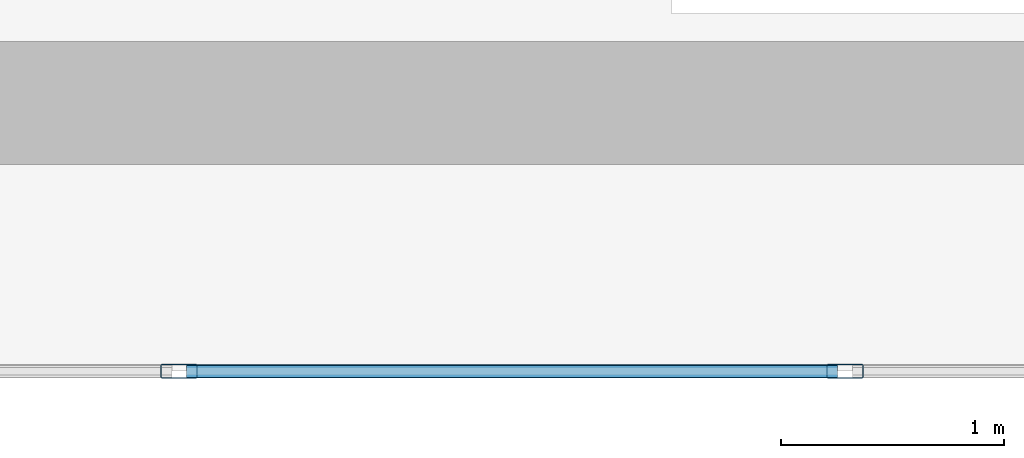
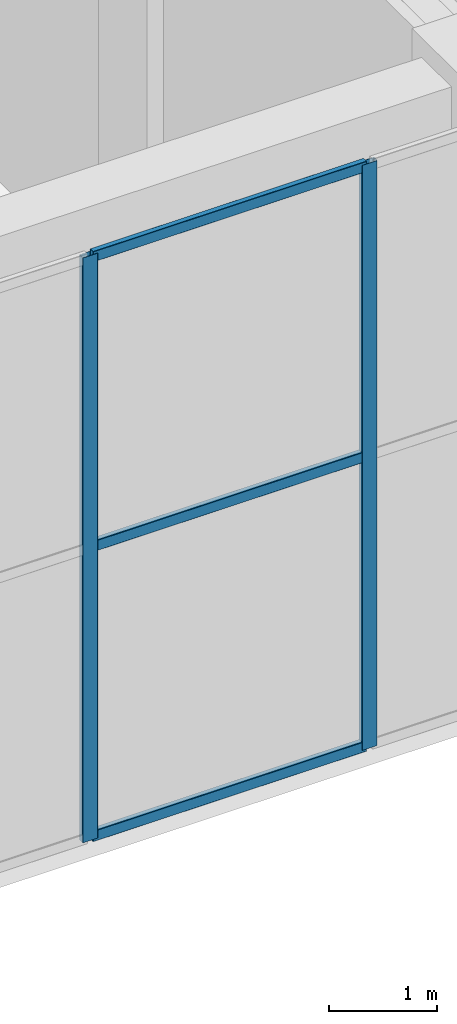
# One storey, part 4 of 19: 5 members, 1 element without a shape of its own.
"""IFC4 building model written with IfcOpenShell, lengths in metres."""

from ifc_helpers import new_model, si_unit, direction, frame, origin, origin_2d, place, context, subcontext, project, spatial, hollow_rectangle, extrude, material, layer, layer_set, material_profile, profile_set, type_object, element, aggregate, save


model = new_model("IFC4")

# Units and contexts
model_context = context("Model", 3, precision=1e-05, world=origin(), true_north=direction((0.0, 1.0)))
body_context = subcontext(model_context, "Body", "Model", "MODEL_VIEW")
ifc_project = project(units=[si_unit("LENGTHUNIT", "METRE"), si_unit("AREAUNIT", "SQUARE_METRE"), si_unit("VOLUMEUNIT", "CUBIC_METRE"), si_unit("PLANEANGLEUNIT", "RADIAN"), si_unit("MASSUNIT", "GRAM", prefix="KILO")], contexts=[model_context])

# Site, building, storey
site_placement = place(None, origin())
site = spatial("IfcSite", under=ifc_project, at=site_placement, CompositionType="ELEMENT")
building_placement = place(site_placement, origin())
building = spatial("IfcBuilding", under=site, at=building_placement, Name="An Khanh Terracotta Commons", CompositionType="ELEMENT")
storey_placement = place(building_placement, frame((0.0, 0.0, 328.800048828125)))
storey = spatial("IfcBuildingStorey", under=building, at=storey_placement, Name="L82 Crown Faceted Taper", CompositionType="ELEMENT", Elevation=328.800048828125)

# Curtain wall, members
ifc_material = material(Name="Anodised Aluminium 6063-T6", Category="aluminium")
ifc_layer = layer(ifc_material, 0.18994140625, Name="Anodised Aluminium 6063-T6")
ifc_layer_set = layer_set([ifc_layer], Name="Anodised Aluminium 6063-T6")
curtain_wall_type = type_object("IfcCurtainWallType", Name="CW-SYS-06", PredefinedType="USERDEFINED", material=ifc_layer_set)
curtain_wall_placement = place(storey_placement, origin())
curtain_wall = element("IfcCurtainWall", 1, at=curtain_wall_placement, inside=storey, type_object=curtain_wall_type, Name="L82 Crown Faceted Taper CW-06 Unitised Curtain Wall CW-L82-04", ObjectType="UNITISED CURTAIN WALL", PredefinedType="USERDEFINED")
ifc_material_profile_1 = material_profile(ifc_material, hollow_rectangle(XDim=0.06494140625, YDim=0.1650390625, WallThickness=0.00390625, InnerFilletRadius=0.00390625, OuterFilletRadius=0.008056640625, at=origin_2d()), Name="RHS165x65x4")
ifc_profile_set_1 = profile_set([ifc_material_profile_1], Name="Anodised Aluminium 6063-T6")
member_type_1 = type_object("IfcMemberType", Name="CWM-RHS165x65x4", PredefinedType="MULLION", material=ifc_profile_set_1)
member_1_placement = place(storey_placement, frame((32.3447265625, 13.199951171875, 0.0), z_axis=(0.0, 0.0, 1.0), x_axis=(0.0, 1.0, 0.0)))
member_1 = element("IfcMember", 2, at=member_1_placement, type_object=member_type_1, Name="CW-06 mullion 4", PredefinedType="MULLION", context=body_context, shape_type="SweptSolid", body=[
    extrude(hollow_rectangle(XDim=0.06494140625, YDim=0.1650390625, WallThickness=0.00390625, InnerFilletRadius=0.00390625, OuterFilletRadius=0.008056640625, at=origin_2d()), origin(), (0.0, 0.0, 1.0), 6.599853515625),
])
member_2_placement = place(storey_placement, frame((35.326171875, 13.199951171875, 0.0), z_axis=(0.0, 0.0, 1.0), x_axis=(0.0, 1.0, 0.0)))
member_2 = element("IfcMember", 3, at=member_2_placement, type_object=member_type_1, Name="CW-06 mullion 5", PredefinedType="MULLION", context=body_context, shape_type="SweptSolid", body=[
    extrude(hollow_rectangle(XDim=0.06494140625, YDim=0.1650390625, WallThickness=0.00390625, InnerFilletRadius=0.00390625, OuterFilletRadius=0.008056640625, at=origin_2d()), origin(), (0.0, 0.0, 1.0), 6.599853515625),
])
ifc_material_profile_2 = material_profile(ifc_material, hollow_rectangle(XDim=0.06005859375, YDim=0.1201171875, WallThickness=0.003662109375, InnerFilletRadius=0.003662109375, OuterFilletRadius=0.007080078125, at=origin_2d()), Name="RHS120x60x3.6")
ifc_profile_set_2 = profile_set([ifc_material_profile_2], Name="Anodised Aluminium 6063-T6")
member_type_2 = type_object("IfcMemberType", Name="CWT-RHS120x60x3.6", PredefinedType="USERDEFINED", material=ifc_profile_set_2)
member_3_placement = place(storey_placement, frame((32.377197265625, 13.199951171875, 0.030029296875), z_axis=(1.0, 0.0, 0.0), x_axis=(0.0, 1.0, 0.0)))
member_3 = element("IfcMember", 4, at=member_3_placement, type_object=member_type_2, Name="CW-06 transom 4.1", ObjectType="TRANSOM", PredefinedType="USERDEFINED", context=body_context, shape_type="SweptSolid", body=[
    extrude(hollow_rectangle(XDim=0.06005859375, YDim=0.1201171875, WallThickness=0.003662109375, InnerFilletRadius=0.003662109375, OuterFilletRadius=0.007080078125, at=origin_2d()), origin(), (0.0, 0.0, 1.0), 2.91650390625),
])
member_4_placement = place(storey_placement, frame((32.377197265625, 13.199951171875, 3.300048828125), z_axis=(1.0, 0.0, 0.0), x_axis=(0.0, 1.0, 0.0)))
member_4 = element("IfcMember", 5, at=member_4_placement, type_object=member_type_2, Name="CW-06 transom 4.2", ObjectType="TRANSOM", PredefinedType="USERDEFINED", context=body_context, shape_type="SweptSolid", body=[
    extrude(hollow_rectangle(XDim=0.06005859375, YDim=0.1201171875, WallThickness=0.003662109375, InnerFilletRadius=0.003662109375, OuterFilletRadius=0.007080078125, at=origin_2d()), origin(), (0.0, 0.0, 1.0), 2.91650390625),
])
member_5_placement = place(storey_placement, frame((32.377197265625, 13.199951171875, 6.570068359375), z_axis=(1.0, 0.0, 0.0), x_axis=(0.0, 1.0, 0.0)))
member_5 = element("IfcMember", 6, at=member_5_placement, type_object=member_type_2, Name="CW-06 transom 4.3", ObjectType="TRANSOM", PredefinedType="USERDEFINED", context=body_context, shape_type="SweptSolid", body=[
    extrude(hollow_rectangle(XDim=0.06005859375, YDim=0.1201171875, WallThickness=0.003662109375, InnerFilletRadius=0.003662109375, OuterFilletRadius=0.007080078125, at=origin_2d()), origin(), (0.0, 0.0, 1.0), 2.91650390625),
])
aggregate(curtain_wall, [member_1, member_2, member_3, member_4, member_5])

save(model, "model.ifc")
